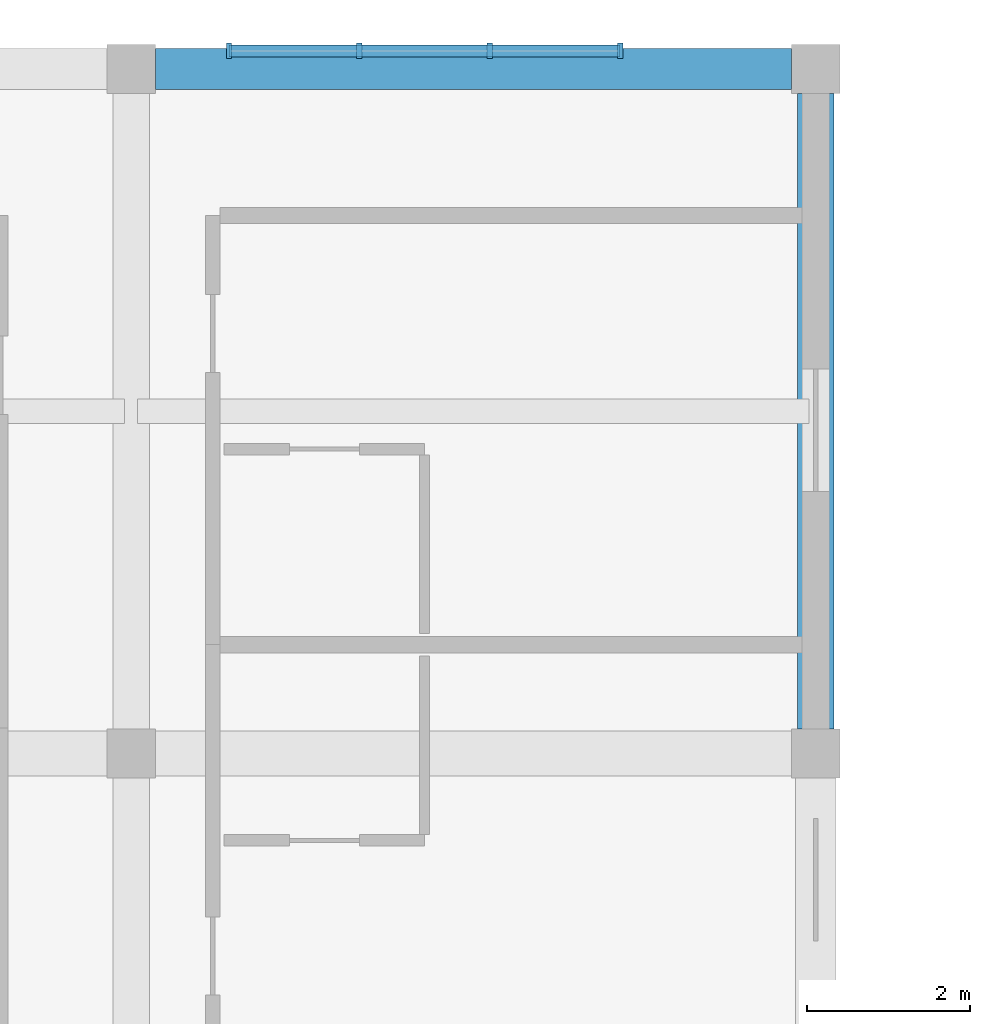
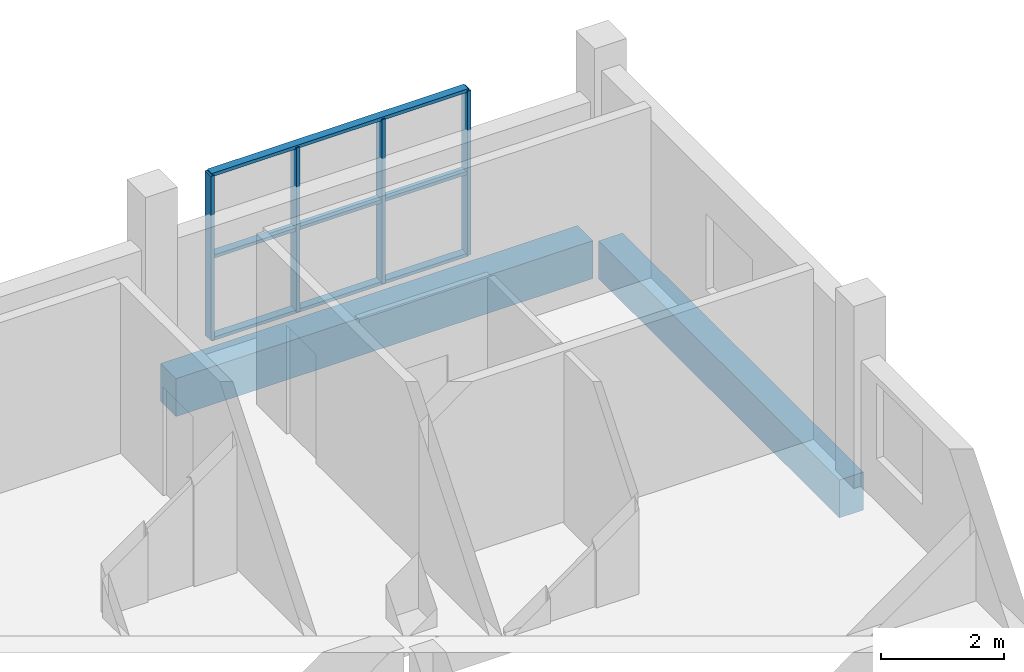
# One storey, part 6 of 24: 7 members, 2 beams, 1 element without a shape of its own.
"""IFC4 building model written with IfcOpenShell, lengths in metres."""

from ifc_helpers import new_model, si_unit, derived_unit, direction, frame, origin, origin_2d, place, context, subcontext, project, spatial, rectangle, extrude, material, material_profile, profile_set, type_object, element, aggregate, save


model = new_model("IFC4")

# Units and contexts
model_context = context("Model", 3, precision=1e-05, world=origin(), true_north=direction((0.0, 1.0)))
body_context = subcontext(model_context, "Body", "Model", "MODEL_VIEW")
ifc_project = project(units=[si_unit("LENGTHUNIT", "METRE"), si_unit("AREAUNIT", "SQUARE_METRE"), si_unit("VOLUMEUNIT", "CUBIC_METRE"), si_unit("PLANEANGLEUNIT", "RADIAN"), si_unit("MASSUNIT", "GRAM", prefix="KILO"), derived_unit("THERMALTRANSMITTANCEUNIT", [(si_unit("POWERUNIT", "WATT"), 1), (si_unit("LENGTHUNIT", "METRE"), -2), (si_unit("THERMODYNAMICTEMPERATUREUNIT", "KELVIN"), -1)])], contexts=[model_context])

# Site, building, storey
site_placement = place(None, origin())
site = spatial("IfcSite", under=ifc_project, at=site_placement, CompositionType="ELEMENT")
building_placement = place(site_placement, origin())
building = spatial("IfcBuilding", under=site, at=building_placement, Name="Barrovel Congress Hotel", CompositionType="ELEMENT")
storey_placement = place(building_placement, frame((0.0, 0.0, 29.10009765625)))
storey = spatial("IfcBuildingStorey", under=building, at=storey_placement, Name="L07", CompositionType="ELEMENT", Elevation=29.10009765625)

# Beams
ifc_material_1 = material(Name="Concrete C40", Category="concrete")
ifc_material_profile_1 = material_profile(ifc_material_1, rectangle(XDim=0.449951171875, YDim=0.75, at=origin_2d()), Name="RC450x750")
ifc_profile_set_1 = profile_set([ifc_material_profile_1], Name="Concrete C40")
beam_type_1 = type_object("IfcBeamType", Name="BM-RC450x750", PredefinedType="BEAM", material=ifc_profile_set_1)
beam_1_placement = place(storey_placement, frame((50.39990234375, 71.699951171875, -0.59521484375), z_axis=(0.0, 1.0, 0.0), x_axis=(-1.0, 0.0, 0.0)))
element("IfcBeam", 1, at=beam_1_placement, inside=storey, type_object=beam_type_1, Name="BMY:L07:50.4:71.4-79.8", PredefinedType="BEAM", context=body_context, shape_type="SweptSolid", body=[
    extrude(rectangle(XDim=0.449951171875, YDim=0.75, at=origin_2d()), origin(), (0.0, 0.0, 1.0), 7.800048828125),
])
ifc_material_profile_2 = material_profile(ifc_material_1, rectangle(XDim=0.5, YDim=0.75, at=origin_2d()), Name="RC500x750")
ifc_profile_set_2 = profile_set([ifc_material_profile_2], Name="Concrete C40")
beam_type_2 = type_object("IfcBeamType", Name="BM-RC500x750", PredefinedType="BEAM", material=ifc_profile_set_2)
beam_2_placement = place(storey_placement, frame((42.300048828125, 79.800048828125, -0.59521484375), z_axis=(1.0, 0.0, 0.0), x_axis=(0.0, 1.0, 0.0)))
element("IfcBeam", 2, at=beam_2_placement, inside=storey, type_object=beam_type_2, Name="BMX:L07:79.8:42.0-50.4", PredefinedType="BEAM", context=body_context, shape_type="SweptSolid", body=[
    extrude(rectangle(XDim=0.5, YDim=0.75, at=origin_2d()), origin(), (0.0, 0.0, 1.0), 7.800048828125),
])

# Curtain wall, members
ifc_material_2 = material(Name="Anodised Aluminium Alloy 6063-T6", Category="aluminium")
curtain_wall_type = type_object("IfcCurtainWallType", Name="CW-UN-4800x3200", PredefinedType="USERDEFINED", material=ifc_material_2)
curtain_wall_placement = place(storey_placement, origin())
curtain_wall = element("IfcCurtainWall", 3, at=curtain_wall_placement, inside=storey, type_object=curtain_wall_type, Name="CW:L07:UN-2", ObjectType="UNITISED CURTAIN WALL", PredefinedType="USERDEFINED")
ifc_material_profile_3 = material_profile(ifc_material_2, rectangle(XDim=0.06494140625, YDim=0.18994140625, at=origin_2d()), Name="AL-M65x190")
ifc_profile_set_3 = profile_set([ifc_material_profile_3], Name="Anodised Aluminium Alloy 6063-T6")
member_type_1 = type_object("IfcMemberType", Name="CWM-AL-M65x190", PredefinedType="MULLION", material=ifc_profile_set_3)
member_1_placement = place(storey_placement, frame((43.199951171875, 80.02001953125, 0.0), z_axis=(0.0, 0.0, 1.0), x_axis=(1.0, 0.0, 0.0)))
member_1 = element("IfcMember", 4, at=member_1_placement, type_object=member_type_1, Name="CW:L07:UN-2:M0", PredefinedType="MULLION", context=body_context, shape_type="SweptSolid", body=[
    extrude(rectangle(XDim=0.06494140625, YDim=0.18994140625, at=origin_2d()), origin(), (0.0, 0.0, 1.0), 3.25),
])
member_2_placement = place(storey_placement, frame((44.800048828125, 80.02001953125, 0.0), z_axis=(0.0, 0.0, 1.0), x_axis=(1.0, 0.0, 0.0)))
member_2 = element("IfcMember", 5, at=member_2_placement, type_object=member_type_1, Name="CW:L07:UN-2:M1", PredefinedType="MULLION", context=body_context, shape_type="SweptSolid", body=[
    extrude(rectangle(XDim=0.06494140625, YDim=0.18994140625, at=origin_2d()), origin(), (0.0, 0.0, 1.0), 3.25),
])
member_3_placement = place(storey_placement, frame((46.39990234375, 80.02001953125, 0.0), z_axis=(0.0, 0.0, 1.0), x_axis=(1.0, 0.0, 0.0)))
member_3 = element("IfcMember", 6, at=member_3_placement, type_object=member_type_1, Name="CW:L07:UN-2:M2", PredefinedType="MULLION", context=body_context, shape_type="SweptSolid", body=[
    extrude(rectangle(XDim=0.06494140625, YDim=0.18994140625, at=origin_2d()), origin(), (0.0, 0.0, 1.0), 3.25),
])
member_4_placement = place(storey_placement, frame((48.0, 80.02001953125, 0.0), z_axis=(0.0, 0.0, 1.0), x_axis=(1.0, 0.0, 0.0)))
member_4 = element("IfcMember", 7, at=member_4_placement, type_object=member_type_1, Name="CW:L07:UN-2:M3", PredefinedType="MULLION", context=body_context, shape_type="SweptSolid", body=[
    extrude(rectangle(XDim=0.06494140625, YDim=0.18994140625, at=origin_2d()), origin(), (0.0, 0.0, 1.0), 3.25),
])
ifc_material_profile_4 = material_profile(ifc_material_2, rectangle(XDim=0.14990234375, YDim=0.06494140625, at=origin_2d()), Name="AL-T65x150")
ifc_profile_set_4 = profile_set([ifc_material_profile_4], Name="Anodised Aluminium Alloy 6063-T6")
member_type_2 = type_object("IfcMemberType", Name="CWT-AL-T65x150", PredefinedType="USERDEFINED", material=ifc_profile_set_4)
member_5_placement = place(storey_placement, frame((43.199951171875, 80.02001953125, 0.0), z_axis=(1.0, 0.0, 0.0), x_axis=(0.0, 1.0, 0.0)))
member_5 = element("IfcMember", 8, at=member_5_placement, type_object=member_type_2, Name="CW:L07:UN-2:T0", ObjectType="TRANSOM", PredefinedType="USERDEFINED", context=body_context, shape_type="SweptSolid", body=[
    extrude(rectangle(XDim=0.14990234375, YDim=0.06494140625, at=origin_2d()), origin(), (0.0, 0.0, 1.0), 4.800048828125),
])
member_6_placement = place(storey_placement, frame((43.199951171875, 80.02001953125, 1.625), z_axis=(1.0, 0.0, 0.0), x_axis=(0.0, 1.0, 0.0)))
member_6 = element("IfcMember", 9, at=member_6_placement, type_object=member_type_2, Name="CW:L07:UN-2:T1", ObjectType="TRANSOM", PredefinedType="USERDEFINED", context=body_context, shape_type="SweptSolid", body=[
    extrude(rectangle(XDim=0.14990234375, YDim=0.06494140625, at=origin_2d()), origin(), (0.0, 0.0, 1.0), 4.800048828125),
])
member_7_placement = place(storey_placement, frame((43.199951171875, 80.02001953125, 3.25), z_axis=(1.0, 0.0, 0.0), x_axis=(0.0, 1.0, 0.0)))
member_7 = element("IfcMember", 10, at=member_7_placement, type_object=member_type_2, Name="CW:L07:UN-2:T2", ObjectType="TRANSOM", PredefinedType="USERDEFINED", context=body_context, shape_type="SweptSolid", body=[
    extrude(rectangle(XDim=0.14990234375, YDim=0.06494140625, at=origin_2d()), origin(), (0.0, 0.0, 1.0), 4.800048828125),
])
aggregate(curtain_wall, [member_1, member_2, member_3, member_4, member_5, member_6, member_7])

save(model, "model.ifc")
